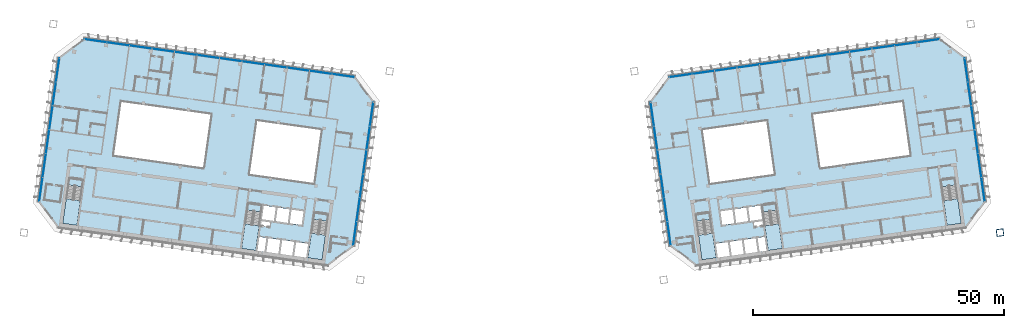
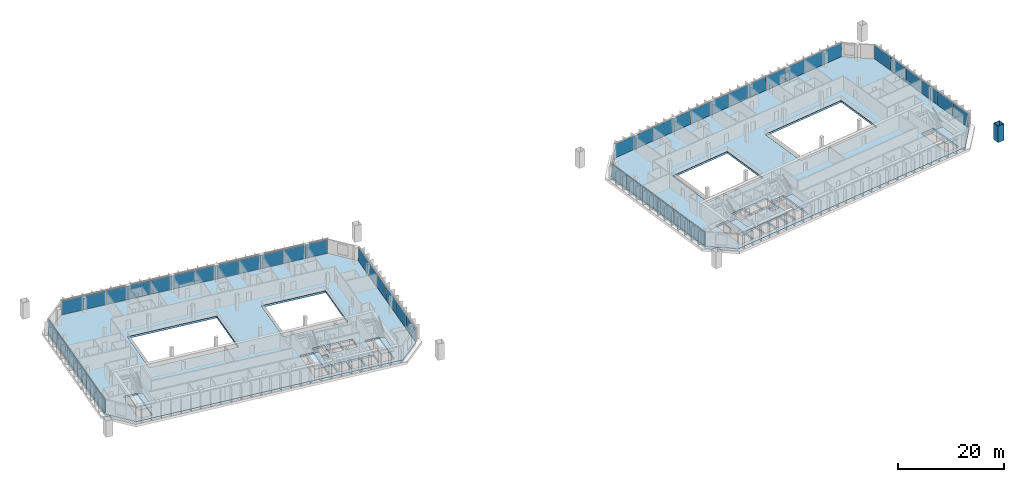
# One storey, part 14 of 25: 48 plates, 8 slabs, 1 member, 12 elements without a shape of their own.
"""IFC4 building model written with IfcOpenShell, lengths in metres."""

import ifcopenshell
import ifcopenshell.guid

model = None  # the IFC model being written
_history = None  # IfcOwnerHistory: only IFC2X3 demands one
_inside = {}  # id of a spatial element -> (the spatial element, [elements in it])
_under = {}  # id of a project, library or spatial element -> (it, [spatial elements below it])
_declared = {}  # id of a project -> (the project, [libraries it declares])
_typed = {}  # id of a type object -> (the type object, [elements of that type])
_made_of = {}  # id of a material, layer set ... -> (it, [elements and type objects made of it])


def new_model(schema):
    """Start an empty IFC model of exactly this schema.

    Asked for "IFC4X3", IfcOpenShell would pick the latest addendum, in which some entities
    have other attributes; the version numbers below select the first issue.
    IFC2X3 requires an IfcOwnerHistory on every rooted entity: one is made here for all.
    """
    global model, _history
    if schema == "IFC4X3":
        model = ifcopenshell.file(schema_version=(4, 3, 0, 0))
    else:
        model = ifcopenshell.file(schema=schema)
    _inside.clear()
    _under.clear()
    _declared.clear()
    _typed.clear()
    _made_of.clear()
    _history = None
    if model.schema == "IFC2X3":
        org = make("IfcOrganization", Name="unknown")
        user = make(
            "IfcPersonAndOrganization",
            ThePerson=make("IfcPerson", FamilyName="unknown"),
            TheOrganization=org,
        )
        app = make(
            "IfcApplication",
            ApplicationDeveloper=org,
            Version="unknown",
            ApplicationFullName="unknown",
            ApplicationIdentifier="unknown",
        )
        _history = make(
            "IfcOwnerHistory",
            OwningUser=user,
            OwningApplication=app,
            ChangeAction="ADDED",
            CreationDate=0,
        )
    return model


def make(cls, **values):
    """One entity of the class cls with the attributes given. An attribute that is None is left unset."""
    return model.create_entity(
        cls, **{name: value for name, value in values.items() if value is not None}
    )


def rooted(cls, **values):
    """An entity with a GlobalId (a new one), such as an element, a storey or a relation."""
    return make(cls, GlobalId=ifcopenshell.guid.new(), OwnerHistory=_history, **values)


def si_unit(unit_type, name, prefix=None):
    """IfcSIUnit, for example si_unit("LENGTHUNIT", "METRE", prefix="MILLI")."""
    return make("IfcSIUnit", UnitType=unit_type, Prefix=prefix, Name=name)


def assignment(units):
    """IfcUnitAssignment: the units of a project."""
    return None if units is None else make("IfcUnitAssignment", Units=units)


def point(xyz):
    """IfcCartesianPoint."""
    return None if xyz is None else make("IfcCartesianPoint", Coordinates=xyz)


def direction(xyz):
    """IfcDirection."""
    return None if xyz is None else make("IfcDirection", DirectionRatios=xyz)


def frame(location, z_axis=None, x_axis=None):
    """IfcAxis2Placement3D, a coordinate frame: its origin and axes. An axis left out is left unset."""
    return make(
        "IfcAxis2Placement3D",
        Location=point(location),
        Axis=direction(z_axis),
        RefDirection=direction(x_axis),
    )


def frame_2d(location, x_axis=None):
    """IfcAxis2Placement2D, a coordinate frame in the plane: its origin and x axis."""
    return make(
        "IfcAxis2Placement2D", Location=point(location), RefDirection=direction(x_axis)
    )


def origin():
    """The frame at (0, 0, 0) with its axes left unset."""
    return frame((0.0, 0.0, 0.0))


def origin_2d():
    """The frame at (0, 0) in the plane with its x axis left unset."""
    return frame_2d((0.0, 0.0))


def place(relative_to, where):
    """IfcLocalPlacement: puts the frame where relative to a parent placement (None: the world)."""
    return make(
        "IfcLocalPlacement", PlacementRelTo=relative_to, RelativePlacement=where
    )


def context(
    kind, dimensions, precision=None, world=None, true_north=None, identifier=None
):
    """IfcGeometricRepresentationContext, for example the 3D "Model" context."""
    return make(
        "IfcGeometricRepresentationContext",
        ContextIdentifier=identifier,
        ContextType=kind,
        CoordinateSpaceDimension=dimensions,
        Precision=precision,
        WorldCoordinateSystem=world,
        TrueNorth=true_north,
    )


def subcontext(parent, identifier, kind, view, scale=None):
    """IfcGeometricRepresentationSubContext, for example "Body" below "Model"."""
    return make(
        "IfcGeometricRepresentationSubContext",
        ContextIdentifier=identifier,
        ContextType=kind,
        ParentContext=parent,
        TargetScale=scale,
        TargetView=view,
    )


def project(units=None, contexts=None):
    """IfcProject with its units and contexts."""
    return rooted(
        "IfcProject",
        Name="project",
        RepresentationContexts=contexts,
        UnitsInContext=assignment(units),
    )


def spatial(cls, under=None, at=None, **own):
    """A site, building, storey or space (cls), placed at a placement, below another one or the project."""
    s = rooted(cls, ObjectPlacement=at, **own)
    if under is not None:
        _under.setdefault(under.id(), (under, []))[1].append(s)
    return s


def polyline(points):
    """IfcPolyline through the points."""
    return make("IfcPolyline", Points=[point(p) for p in points])


def profile(cls, at=None, kind="AREA", **sizes):
    """A parametric profile (cls). Its sizes go by their IFC names, for example OverallWidth=200.0."""
    return make(cls, ProfileType=kind, Position=at, **sizes)


def rectangle(**sizes):
    """IfcRectangleProfileDef."""
    return profile("IfcRectangleProfileDef", **sizes)


def hollow_rectangle(**sizes):
    """IfcRectangleHollowProfileDef."""
    return profile("IfcRectangleHollowProfileDef", **sizes)


def outline(outer, holes=None, kind="AREA"):
    """IfcArbitraryClosedProfileDef: a profile drawn as a closed curve; with holes, ...WithVoids."""
    if holes is None:
        return make("IfcArbitraryClosedProfileDef", ProfileType=kind, OuterCurve=outer)
    return make(
        "IfcArbitraryProfileDefWithVoids",
        ProfileType=kind,
        OuterCurve=outer,
        InnerCurves=holes,
    )


def extrude(swept, where, along, depth):
    """IfcExtrudedAreaSolid: the profile swept, set in the frame where, extruded along a direction by depth."""
    return make(
        "IfcExtrudedAreaSolid",
        SweptArea=swept,
        Position=where,
        ExtrudedDirection=direction(along),
        Depth=depth,
    )


def shape(context_of_items, identifier, shape_type, items):
    """IfcShapeRepresentation: the items that make up one representation, for example the "Body"."""
    return make(
        "IfcShapeRepresentation",
        ContextOfItems=context_of_items,
        RepresentationIdentifier=identifier,
        RepresentationType=shape_type,
        Items=items,
    )


def material(Name=None, Category=None):
    """IfcMaterial."""
    return make("IfcMaterial", Name=Name, Category=Category)


def layer(
    of_material, thickness, ventilated=None, Name=None, Category=None, Priority=None
):
    """IfcMaterialLayer: one layer of a wall or slab, of a material (None: an air gap)."""
    return make(
        "IfcMaterialLayer",
        Material=of_material,
        LayerThickness=thickness,
        IsVentilated=ventilated,
        Name=Name,
        Category=Category,
        Priority=Priority,
    )


def layer_set(layers, Name=None):
    """IfcMaterialLayerSet."""
    return make("IfcMaterialLayerSet", MaterialLayers=layers, LayerSetName=Name)


def material_profile(
    of_material, cross_section, Name=None, Category=None, Priority=None
):
    """IfcMaterialProfile: a cross section and its material."""
    return make(
        "IfcMaterialProfile",
        Name=Name,
        Material=of_material,
        Profile=cross_section,
        Priority=Priority,
        Category=Category,
    )


def profile_set(profiles, Name=None, composite=None):
    """IfcMaterialProfileSet."""
    return make(
        "IfcMaterialProfileSet",
        Name=Name,
        MaterialProfiles=profiles,
        CompositeProfile=composite,
    )


def made_of(thing, what):
    """Note that an element or type object is made of a material, layer set ...; save() writes the relation."""
    if what is not None:
        _made_of.setdefault(what.id(), (what, []))[1].append(thing)
    return thing


def type_object(cls, material=None, **own):
    """A type object (cls), such as IfcWallType, which elements share."""
    return made_of(rooted(cls, **own), material)


def element(
    cls,
    number,
    at=None,
    inside=None,
    cuts=None,
    type_object=None,
    material=None,
    context=None,
    identifier="Body",
    shape_type=None,
    held_by="IfcProductDefinitionShape",
    body=None,
    shapes=None,
    **own,
):
    """One element of the class cls, such as IfcWall. Its Tag is "e" and its number.

    at: its placement. inside: the storey or other place that contains it. cuts: it is an
    opening in that element (IfcRelVoidsElement). A single representation is given by context,
    identifier, shape_type and body (its items); several are given by shapes. held_by: the class
    of the entity that holds the representations. save() writes the other relations.
    """
    e = rooted(cls, Tag="e%d" % number, ObjectPlacement=at, **own)
    if body is not None:
        shapes = [shape(context, identifier, shape_type, body)]
    if shapes is not None:
        e.Representation = make(held_by, Representations=shapes)
    if inside is not None:
        _inside.setdefault(inside.id(), (inside, []))[1].append(e)
    if cuts is not None:
        rooted(
            "IfcRelVoidsElement", RelatingBuildingElement=cuts, RelatedOpeningElement=e
        )
    if type_object is not None:
        _typed.setdefault(type_object.id(), (type_object, []))[1].append(e)
    return made_of(e, material)


def aggregate(whole, parts):
    """IfcRelAggregates: a whole, such as a stair, and the parts it consists of."""
    return rooted("IfcRelAggregates", RelatingObject=whole, RelatedObjects=parts)


def save(model, path):
    """Write the relations noted so far, then the file.

    IfcRelAggregates (storeys below a building ...), IfcRelContainedInSpatialStructure (elements
    in a storey), IfcRelDefinesByType, IfcRelAssociatesMaterial and IfcRelDeclares: one each for
    every whole, place, type object, material and project.
    """
    for whole, parts in _under.values():
        aggregate(whole, parts)
    for where, things in _inside.values():
        rooted(
            "IfcRelContainedInSpatialStructure",
            RelatedElements=things,
            RelatingStructure=where,
        )
    for kind, things in _typed.values():
        rooted("IfcRelDefinesByType", RelatedObjects=things, RelatingType=kind)
    for what, things in _made_of.values():
        rooted("IfcRelAssociatesMaterial", RelatedObjects=things, RelatingMaterial=what)
    for by, libraries in _declared.values():
        rooted("IfcRelDeclares", RelatingContext=by, RelatedDefinitions=libraries)
    model.write(path)


model = new_model("IFC4")

# Units and contexts
model_context = context("Model", 3, precision=1e-05, world=origin(), true_north=direction((0.0, 1.0)))
body_context = subcontext(model_context, "Body", "Model", "MODEL_VIEW")
ifc_project = project(units=[si_unit("LENGTHUNIT", "METRE"), si_unit("AREAUNIT", "SQUARE_METRE"), si_unit("VOLUMEUNIT", "CUBIC_METRE"), si_unit("PLANEANGLEUNIT", "RADIAN"), si_unit("MASSUNIT", "GRAM", prefix="KILO")], contexts=[model_context])

# Site, building, storey
site_placement = place(None, origin())
site = spatial("IfcSite", under=ifc_project, at=site_placement, CompositionType="ELEMENT")
building_placement = place(site_placement, origin())
building = spatial("IfcBuilding", under=site, at=building_placement, Name="Mirante Cascada Hotel Towers", CompositionType="ELEMENT")
storey_placement = place(building_placement, frame((0.0, 0.0, 172.6)))
storey = spatial("IfcBuildingStorey", under=building, at=storey_placement, Name="L40", CompositionType="ELEMENT", Elevation=172.6)

# Member
ifc_material_1 = material(Name="Steel ASTM A572 Gr 50", Category="steel")
ifc_material_profile = material_profile(ifc_material_1, hollow_rectangle(XDim=1.4, YDim=1.4, WallThickness=0.06, at=origin_2d()), Name="Box post 1400x1400x60 ASTM A572 Gr 50")
ifc_profile_set = profile_set([ifc_material_profile], Name="Steel ASTM A572 Gr 50")
member_type = type_object("IfcMemberType", Name="Box post 1400x1400x60 ASTM A572 Gr 50", PredefinedType="POST", material=ifc_profile_set)
member_placement = place(storey_placement, frame((97.2901, -13.7494, 0.0), z_axis=(0.0, 0.0, 1.0), x_axis=(0.9902681, 0.1391731, 0.0)))
element("IfcMember", 1, at=member_placement, inside=storey, type_object=member_type, Name="Mega column MP4 T2 L40", PredefinedType="POST", context=body_context, shape_type="SweptSolid", body=[
    extrude(hollow_rectangle(XDim=1.4, YDim=1.4, WallThickness=0.06, at=origin_2d()), origin(), (0.0, 0.0, 1.0), 3.8),
])

# Curtain wall, plates
ifc_material_2 = material(Name="Aluminium mullion and transom frame with clear laminated glass", Category="aluminium")
curtain_wall_type_1 = type_object("IfcCurtainWallType", Name="Ribbon curtain wall ECW1", PredefinedType="NOTDEFINED", material=ifc_material_2)
curtain_wall_1_placement = place(storey_placement, origin())
curtain_wall_1 = element("IfcCurtainWall", 2, at=curtain_wall_1_placement, inside=storey, type_object=curtain_wall_type_1, Name="Front ribbon wall T1 L40", PredefinedType="NOTDEFINED")
ifc_material_3 = material(Name="Clear laminated glass", Category="glass")
ifc_layer_1 = layer(ifc_material_3, 0.036)
ifc_layer_set_1 = layer_set([ifc_layer_1], Name="ECW1 glass panel 36")
plate_type_1 = type_object("IfcPlateType", Name="ECW1 glass panel 36", PredefinedType="CURTAIN_PANEL", material=ifc_layer_set_1)
plate_1_placement = place(storey_placement, frame((-82.9858, 24.4819, 0.1), z_axis=(0.0, 0.0, 1.0), x_axis=(0.9902681, -0.1391731, 0.0)))
plate_1 = element("IfcPlate", 3, at=plate_1_placement, type_object=plate_type_1, Name="ECW1 panel 1", PredefinedType="CURTAIN_PANEL", context=body_context, shape_type="SweptSolid", body=[
    extrude(rectangle(XDim=4.4344, YDim=0.036, at=origin_2d()), origin(), (0.0, 0.0, 1.0), 3.15),
])
plate_2_placement = place(storey_placement, frame((-78.5141, 23.8535, 0.1), z_axis=(0.0, 0.0, 1.0), x_axis=(0.9902681, -0.1391731, 0.0)))
plate_2 = element("IfcPlate", 4, at=plate_2_placement, type_object=plate_type_1, Name="ECW1 panel 2", PredefinedType="CURTAIN_PANEL", context=body_context, shape_type="SweptSolid", body=[
    extrude(rectangle(XDim=4.4669, YDim=0.036, at=origin_2d()), origin(), (0.0, 0.0, 1.0), 3.15),
])
plate_3_placement = place(storey_placement, frame((-74.0263, 23.2227, 0.1), z_axis=(0.0, 0.0, 1.0), x_axis=(0.9902681, -0.1391731, 0.0)))
plate_3 = element("IfcPlate", 5, at=plate_3_placement, type_object=plate_type_1, Name="ECW1 panel 3", PredefinedType="CURTAIN_PANEL", context=body_context, shape_type="SweptSolid", body=[
    extrude(rectangle(XDim=4.4669, YDim=0.036, at=origin_2d()), origin(), (0.0, 0.0, 1.0), 3.15),
])
plate_4_placement = place(storey_placement, frame((-69.5385, 22.592, 0.1), z_axis=(0.0, 0.0, 1.0), x_axis=(0.9902681, -0.1391731, 0.0)))
plate_4 = element("IfcPlate", 6, at=plate_4_placement, type_object=plate_type_1, Name="ECW1 panel 4", PredefinedType="CURTAIN_PANEL", context=body_context, shape_type="SweptSolid", body=[
    extrude(rectangle(XDim=4.4669, YDim=0.036, at=origin_2d()), origin(), (0.0, 0.0, 1.0), 3.15),
])
plate_5_placement = place(storey_placement, frame((-65.0508, 21.9613, 0.1), z_axis=(0.0, 0.0, 1.0), x_axis=(0.9902681, -0.1391731, 0.0)))
plate_5 = element("IfcPlate", 7, at=plate_5_placement, type_object=plate_type_1, Name="ECW1 panel 5", PredefinedType="CURTAIN_PANEL", context=body_context, shape_type="SweptSolid", body=[
    extrude(rectangle(XDim=4.4669, YDim=0.036, at=origin_2d()), origin(), (0.0, 0.0, 1.0), 3.15),
])
plate_6_placement = place(storey_placement, frame((-60.563, 21.3306, 0.1), z_axis=(0.0, 0.0, 1.0), x_axis=(0.9902681, -0.1391731, 0.0)))
plate_6 = element("IfcPlate", 8, at=plate_6_placement, type_object=plate_type_1, Name="ECW1 panel 6", PredefinedType="CURTAIN_PANEL", context=body_context, shape_type="SweptSolid", body=[
    extrude(rectangle(XDim=4.4669, YDim=0.036, at=origin_2d()), origin(), (0.0, 0.0, 1.0), 3.15),
])
plate_7_placement = place(storey_placement, frame((-56.0752, 20.6999, 0.1), z_axis=(0.0, 0.0, 1.0), x_axis=(0.9902681, -0.1391731, 0.0)))
plate_7 = element("IfcPlate", 9, at=plate_7_placement, type_object=plate_type_1, Name="ECW1 panel 7", PredefinedType="CURTAIN_PANEL", context=body_context, shape_type="SweptSolid", body=[
    extrude(rectangle(XDim=4.4669, YDim=0.036, at=origin_2d()), origin(), (0.0, 0.0, 1.0), 3.15),
])
plate_8_placement = place(storey_placement, frame((-51.5875, 20.0692, 0.1), z_axis=(0.0, 0.0, 1.0), x_axis=(0.9902681, -0.1391731, 0.0)))
plate_8 = element("IfcPlate", 10, at=plate_8_placement, type_object=plate_type_1, Name="ECW1 panel 8", PredefinedType="CURTAIN_PANEL", context=body_context, shape_type="SweptSolid", body=[
    extrude(rectangle(XDim=4.4669, YDim=0.036, at=origin_2d()), origin(), (0.0, 0.0, 1.0), 3.15),
])
plate_9_placement = place(storey_placement, frame((-47.0997, 19.4385, 0.1), z_axis=(0.0, 0.0, 1.0), x_axis=(0.9902681, -0.1391731, 0.0)))
plate_9 = element("IfcPlate", 11, at=plate_9_placement, type_object=plate_type_1, Name="ECW1 panel 9", PredefinedType="CURTAIN_PANEL", context=body_context, shape_type="SweptSolid", body=[
    extrude(rectangle(XDim=4.4669, YDim=0.036, at=origin_2d()), origin(), (0.0, 0.0, 1.0), 3.15),
])
plate_10_placement = place(storey_placement, frame((-42.6119, 18.8077, 0.1), z_axis=(0.0, 0.0, 1.0), x_axis=(0.9902681, -0.1391731, 0.0)))
plate_10 = element("IfcPlate", 12, at=plate_10_placement, type_object=plate_type_1, Name="ECW1 panel 10", PredefinedType="CURTAIN_PANEL", context=body_context, shape_type="SweptSolid", body=[
    extrude(rectangle(XDim=4.4669, YDim=0.036, at=origin_2d()), origin(), (0.0, 0.0, 1.0), 3.15),
])
plate_11_placement = place(storey_placement, frame((-38.1241, 18.177, 0.1), z_axis=(0.0, 0.0, 1.0), x_axis=(0.9902681, -0.1391731, 0.0)))
plate_11 = element("IfcPlate", 13, at=plate_11_placement, type_object=plate_type_1, Name="ECW1 panel 11", PredefinedType="CURTAIN_PANEL", context=body_context, shape_type="SweptSolid", body=[
    extrude(rectangle(XDim=4.4669, YDim=0.036, at=origin_2d()), origin(), (0.0, 0.0, 1.0), 3.15),
])
plate_12_placement = place(storey_placement, frame((-33.6525, 17.5486, 0.1), z_axis=(0.0, 0.0, 1.0), x_axis=(0.9902681, -0.1391731, 0.0)))
plate_12 = element("IfcPlate", 14, at=plate_12_placement, type_object=plate_type_1, Name="ECW1 panel 12", PredefinedType="CURTAIN_PANEL", context=body_context, shape_type="SweptSolid", body=[
    extrude(rectangle(XDim=4.4344, YDim=0.036, at=origin_2d()), origin(), (0.0, 0.0, 1.0), 3.15),
])
aggregate(curtain_wall_1, [plate_1, plate_2, plate_3, plate_4, plate_5, plate_6, plate_7, plate_8, plate_9, plate_10, plate_11, plate_12])

curtain_wall_2_placement = place(storey_placement, origin())
curtain_wall_2 = element("IfcCurtainWall", 15, at=curtain_wall_2_placement, inside=storey, type_object=curtain_wall_type_1, Name="Front ribbon wall T2 L40", PredefinedType="NOTDEFINED")
plate_13_placement = place(storey_placement, frame((82.9858, 24.4819, 0.1), z_axis=(0.0, 0.0, 1.0), x_axis=(-0.9902681, -0.1391731, 0.0)))
plate_13 = element("IfcPlate", 16, at=plate_13_placement, type_object=plate_type_1, Name="ECW1 panel 1", PredefinedType="CURTAIN_PANEL", context=body_context, shape_type="SweptSolid", body=[
    extrude(rectangle(XDim=4.4344, YDim=0.036, at=origin_2d()), origin(), (0.0, 0.0, 1.0), 3.15),
])
plate_14_placement = place(storey_placement, frame((78.5141, 23.8535, 0.1), z_axis=(0.0, 0.0, 1.0), x_axis=(-0.9902681, -0.1391731, 0.0)))
plate_14 = element("IfcPlate", 17, at=plate_14_placement, type_object=plate_type_1, Name="ECW1 panel 2", PredefinedType="CURTAIN_PANEL", context=body_context, shape_type="SweptSolid", body=[
    extrude(rectangle(XDim=4.4669, YDim=0.036, at=origin_2d()), origin(), (0.0, 0.0, 1.0), 3.15),
])
plate_15_placement = place(storey_placement, frame((74.0263, 23.2227, 0.1), z_axis=(0.0, 0.0, 1.0), x_axis=(-0.9902681, -0.1391731, 0.0)))
plate_15 = element("IfcPlate", 18, at=plate_15_placement, type_object=plate_type_1, Name="ECW1 panel 3", PredefinedType="CURTAIN_PANEL", context=body_context, shape_type="SweptSolid", body=[
    extrude(rectangle(XDim=4.4669, YDim=0.036, at=origin_2d()), origin(), (0.0, 0.0, 1.0), 3.15),
])
plate_16_placement = place(storey_placement, frame((69.5385, 22.592, 0.1), z_axis=(0.0, 0.0, 1.0), x_axis=(-0.9902681, -0.1391731, 0.0)))
plate_16 = element("IfcPlate", 19, at=plate_16_placement, type_object=plate_type_1, Name="ECW1 panel 4", PredefinedType="CURTAIN_PANEL", context=body_context, shape_type="SweptSolid", body=[
    extrude(rectangle(XDim=4.4669, YDim=0.036, at=origin_2d()), origin(), (0.0, 0.0, 1.0), 3.15),
])
plate_17_placement = place(storey_placement, frame((65.0508, 21.9613, 0.1), z_axis=(0.0, 0.0, 1.0), x_axis=(-0.9902681, -0.1391731, 0.0)))
plate_17 = element("IfcPlate", 20, at=plate_17_placement, type_object=plate_type_1, Name="ECW1 panel 5", PredefinedType="CURTAIN_PANEL", context=body_context, shape_type="SweptSolid", body=[
    extrude(rectangle(XDim=4.4669, YDim=0.036, at=origin_2d()), origin(), (0.0, 0.0, 1.0), 3.15),
])
plate_18_placement = place(storey_placement, frame((60.563, 21.3306, 0.1), z_axis=(0.0, 0.0, 1.0), x_axis=(-0.9902681, -0.1391731, 0.0)))
plate_18 = element("IfcPlate", 21, at=plate_18_placement, type_object=plate_type_1, Name="ECW1 panel 6", PredefinedType="CURTAIN_PANEL", context=body_context, shape_type="SweptSolid", body=[
    extrude(rectangle(XDim=4.4669, YDim=0.036, at=origin_2d()), origin(), (0.0, 0.0, 1.0), 3.15),
])
plate_19_placement = place(storey_placement, frame((56.0752, 20.6999, 0.1), z_axis=(0.0, 0.0, 1.0), x_axis=(-0.9902681, -0.1391731, 0.0)))
plate_19 = element("IfcPlate", 22, at=plate_19_placement, type_object=plate_type_1, Name="ECW1 panel 7", PredefinedType="CURTAIN_PANEL", context=body_context, shape_type="SweptSolid", body=[
    extrude(rectangle(XDim=4.4669, YDim=0.036, at=origin_2d()), origin(), (0.0, 0.0, 1.0), 3.15),
])
plate_20_placement = place(storey_placement, frame((51.5875, 20.0692, 0.1), z_axis=(0.0, 0.0, 1.0), x_axis=(-0.9902681, -0.1391731, 0.0)))
plate_20 = element("IfcPlate", 23, at=plate_20_placement, type_object=plate_type_1, Name="ECW1 panel 8", PredefinedType="CURTAIN_PANEL", context=body_context, shape_type="SweptSolid", body=[
    extrude(rectangle(XDim=4.4669, YDim=0.036, at=origin_2d()), origin(), (0.0, 0.0, 1.0), 3.15),
])
plate_21_placement = place(storey_placement, frame((47.0997, 19.4385, 0.1), z_axis=(0.0, 0.0, 1.0), x_axis=(-0.9902681, -0.1391731, 0.0)))
plate_21 = element("IfcPlate", 24, at=plate_21_placement, type_object=plate_type_1, Name="ECW1 panel 9", PredefinedType="CURTAIN_PANEL", context=body_context, shape_type="SweptSolid", body=[
    extrude(rectangle(XDim=4.4669, YDim=0.036, at=origin_2d()), origin(), (0.0, 0.0, 1.0), 3.15),
])
plate_22_placement = place(storey_placement, frame((42.6119, 18.8077, 0.1), z_axis=(0.0, 0.0, 1.0), x_axis=(-0.9902681, -0.1391731, 0.0)))
plate_22 = element("IfcPlate", 25, at=plate_22_placement, type_object=plate_type_1, Name="ECW1 panel 10", PredefinedType="CURTAIN_PANEL", context=body_context, shape_type="SweptSolid", body=[
    extrude(rectangle(XDim=4.4669, YDim=0.036, at=origin_2d()), origin(), (0.0, 0.0, 1.0), 3.15),
])
plate_23_placement = place(storey_placement, frame((38.1241, 18.177, 0.1), z_axis=(0.0, 0.0, 1.0), x_axis=(-0.9902681, -0.1391731, 0.0)))
plate_23 = element("IfcPlate", 26, at=plate_23_placement, type_object=plate_type_1, Name="ECW1 panel 11", PredefinedType="CURTAIN_PANEL", context=body_context, shape_type="SweptSolid", body=[
    extrude(rectangle(XDim=4.4669, YDim=0.036, at=origin_2d()), origin(), (0.0, 0.0, 1.0), 3.15),
])
plate_24_placement = place(storey_placement, frame((33.6525, 17.5486, 0.1), z_axis=(0.0, 0.0, 1.0), x_axis=(-0.9902681, -0.1391731, 0.0)))
plate_24 = element("IfcPlate", 27, at=plate_24_placement, type_object=plate_type_1, Name="ECW1 panel 12", PredefinedType="CURTAIN_PANEL", context=body_context, shape_type="SweptSolid", body=[
    extrude(rectangle(XDim=4.4344, YDim=0.036, at=origin_2d()), origin(), (0.0, 0.0, 1.0), 3.15),
])
aggregate(curtain_wall_2, [plate_13, plate_14, plate_15, plate_16, plate_17, plate_18, plate_19, plate_20, plate_21, plate_22, plate_23, plate_24])

ifc_material_4 = material(Name="Aluminium mullion and transom frame with clear laminated glass", Category="aluminium")
curtain_wall_type_2 = type_object("IfcCurtainWallType", Name="End ribbon curtain wall ECW2", PredefinedType="NOTDEFINED", material=ifc_material_4)
curtain_wall_3_placement = place(storey_placement, origin())
curtain_wall_3 = element("IfcCurtainWall", 28, at=curtain_wall_3_placement, inside=storey, type_object=curtain_wall_type_2, Name="Inner end wall T1 L40", PredefinedType="NOTDEFINED")
ifc_material_5 = material(Name="Clear laminated glass", Category="glass")
ifc_layer_2 = layer(ifc_material_5, 0.034)
ifc_layer_set_2 = layer_set([ifc_layer_2], Name="ECW2 glass panel 34")
plate_type_2 = type_object("IfcPlateType", Name="ECW2 glass panel 34", PredefinedType="CURTAIN_PANEL", material=ifc_layer_set_2)
plate_25_placement = place(storey_placement, frame((-27.9745, 9.8487, 0.1), z_axis=(0.0, 0.0, 1.0), x_axis=(-0.1391731, -0.9902681, 0.0)))
plate_25 = element("IfcPlate", 29, at=plate_25_placement, type_object=plate_type_2, Name="ECW2 panel 1", PredefinedType="CURTAIN_PANEL", context=body_context, shape_type="SweptSolid", body=[
    extrude(rectangle(XDim=4.7151, YDim=0.034, at=origin_2d()), origin(), (0.0, 0.0, 1.0), 3.15),
])
plate_26_placement = place(storey_placement, frame((-28.642, 5.099, 0.1), z_axis=(0.0, 0.0, 1.0), x_axis=(-0.1391731, -0.9902681, 0.0)))
plate_26 = element("IfcPlate", 30, at=plate_26_placement, type_object=plate_type_2, Name="ECW2 panel 2", PredefinedType="CURTAIN_PANEL", context=body_context, shape_type="SweptSolid", body=[
    extrude(rectangle(XDim=4.7476, YDim=0.034, at=origin_2d()), origin(), (0.0, 0.0, 1.0), 3.15),
])
plate_27_placement = place(storey_placement, frame((-29.3118, 0.3332, 0.1), z_axis=(0.0, 0.0, 1.0), x_axis=(-0.1391731, -0.9902681, 0.0)))
plate_27 = element("IfcPlate", 31, at=plate_27_placement, type_object=plate_type_2, Name="ECW2 panel 3", PredefinedType="CURTAIN_PANEL", context=body_context, shape_type="SweptSolid", body=[
    extrude(rectangle(XDim=4.7476, YDim=0.034, at=origin_2d()), origin(), (0.0, 0.0, 1.0), 3.15),
])
plate_28_placement = place(storey_placement, frame((-29.9816, -4.4325, 0.1), z_axis=(0.0, 0.0, 1.0), x_axis=(-0.1391731, -0.9902681, 0.0)))
plate_28 = element("IfcPlate", 32, at=plate_28_placement, type_object=plate_type_2, Name="ECW2 panel 4", PredefinedType="CURTAIN_PANEL", context=body_context, shape_type="SweptSolid", body=[
    extrude(rectangle(XDim=4.7476, YDim=0.034, at=origin_2d()), origin(), (0.0, 0.0, 1.0), 3.15),
])
plate_29_placement = place(storey_placement, frame((-30.6514, -9.1983, 0.1), z_axis=(0.0, 0.0, 1.0), x_axis=(-0.1391731, -0.9902681, 0.0)))
plate_29 = element("IfcPlate", 33, at=plate_29_placement, type_object=plate_type_2, Name="ECW2 panel 5", PredefinedType="CURTAIN_PANEL", context=body_context, shape_type="SweptSolid", body=[
    extrude(rectangle(XDim=4.7476, YDim=0.034, at=origin_2d()), origin(), (0.0, 0.0, 1.0), 3.15),
])
plate_30_placement = place(storey_placement, frame((-31.3189, -13.948, 0.1), z_axis=(0.0, 0.0, 1.0), x_axis=(-0.1391731, -0.9902681, 0.0)))
plate_30 = element("IfcPlate", 34, at=plate_30_placement, type_object=plate_type_2, Name="ECW2 panel 6", PredefinedType="CURTAIN_PANEL", context=body_context, shape_type="SweptSolid", body=[
    extrude(rectangle(XDim=4.7151, YDim=0.034, at=origin_2d()), origin(), (0.0, 0.0, 1.0), 3.15),
])
aggregate(curtain_wall_3, [plate_25, plate_26, plate_27, plate_28, plate_29, plate_30])

curtain_wall_4_placement = place(storey_placement, origin())
curtain_wall_4 = element("IfcCurtainWall", 35, at=curtain_wall_4_placement, inside=storey, type_object=curtain_wall_type_2, Name="Outer end wall T1 L40", PredefinedType="NOTDEFINED")
plate_31_placement = place(storey_placement, frame((-93.9106, -5.1513, 0.1), z_axis=(0.0, 0.0, 1.0), x_axis=(0.1391731, 0.9902681, 0.0)))
plate_31 = element("IfcPlate", 36, at=plate_31_placement, type_object=plate_type_2, Name="ECW2 panel 1", PredefinedType="CURTAIN_PANEL", context=body_context, shape_type="SweptSolid", body=[
    extrude(rectangle(XDim=4.7151, YDim=0.034, at=origin_2d()), origin(), (0.0, 0.0, 1.0), 3.15),
])
plate_32_placement = place(storey_placement, frame((-90.5661, 18.6454, 0.1), z_axis=(0.0, 0.0, 1.0), x_axis=(0.1391731, 0.9902681, 0.0)))
plate_32 = element("IfcPlate", 37, at=plate_32_placement, type_object=plate_type_2, Name="ECW2 panel 6", PredefinedType="CURTAIN_PANEL", context=body_context, shape_type="SweptSolid", body=[
    extrude(rectangle(XDim=4.7151, YDim=0.034, at=origin_2d()), origin(), (0.0, 0.0, 1.0), 3.15),
])

curtain_wall_5_placement = place(storey_placement, origin())
curtain_wall_5 = element("IfcCurtainWall", 38, at=curtain_wall_5_placement, inside=storey, type_object=curtain_wall_type_2, Name="Inner end wall T2 L40", PredefinedType="NOTDEFINED")
plate_33_placement = place(storey_placement, frame((27.9745, 9.8487, 0.1), z_axis=(0.0, 0.0, 1.0), x_axis=(0.1391731, -0.9902681, 0.0)))
plate_33 = element("IfcPlate", 39, at=plate_33_placement, type_object=plate_type_2, Name="ECW2 panel 1", PredefinedType="CURTAIN_PANEL", context=body_context, shape_type="SweptSolid", body=[
    extrude(rectangle(XDim=4.7151, YDim=0.034, at=origin_2d()), origin(), (0.0, 0.0, 1.0), 3.15),
])
plate_34_placement = place(storey_placement, frame((28.642, 5.099, 0.1), z_axis=(0.0, 0.0, 1.0), x_axis=(0.1391731, -0.9902681, 0.0)))
plate_34 = element("IfcPlate", 40, at=plate_34_placement, type_object=plate_type_2, Name="ECW2 panel 2", PredefinedType="CURTAIN_PANEL", context=body_context, shape_type="SweptSolid", body=[
    extrude(rectangle(XDim=4.7476, YDim=0.034, at=origin_2d()), origin(), (0.0, 0.0, 1.0), 3.15),
])
plate_35_placement = place(storey_placement, frame((29.3118, 0.3332, 0.1), z_axis=(0.0, 0.0, 1.0), x_axis=(0.1391731, -0.9902681, 0.0)))
plate_35 = element("IfcPlate", 41, at=plate_35_placement, type_object=plate_type_2, Name="ECW2 panel 3", PredefinedType="CURTAIN_PANEL", context=body_context, shape_type="SweptSolid", body=[
    extrude(rectangle(XDim=4.7476, YDim=0.034, at=origin_2d()), origin(), (0.0, 0.0, 1.0), 3.15),
])
plate_36_placement = place(storey_placement, frame((29.9816, -4.4325, 0.1), z_axis=(0.0, 0.0, 1.0), x_axis=(0.1391731, -0.9902681, 0.0)))
plate_36 = element("IfcPlate", 42, at=plate_36_placement, type_object=plate_type_2, Name="ECW2 panel 4", PredefinedType="CURTAIN_PANEL", context=body_context, shape_type="SweptSolid", body=[
    extrude(rectangle(XDim=4.7476, YDim=0.034, at=origin_2d()), origin(), (0.0, 0.0, 1.0), 3.15),
])
plate_37_placement = place(storey_placement, frame((30.6514, -9.1983, 0.1), z_axis=(0.0, 0.0, 1.0), x_axis=(0.1391731, -0.9902681, 0.0)))
plate_37 = element("IfcPlate", 43, at=plate_37_placement, type_object=plate_type_2, Name="ECW2 panel 5", PredefinedType="CURTAIN_PANEL", context=body_context, shape_type="SweptSolid", body=[
    extrude(rectangle(XDim=4.7476, YDim=0.034, at=origin_2d()), origin(), (0.0, 0.0, 1.0), 3.15),
])
plate_38_placement = place(storey_placement, frame((31.3189, -13.948, 0.1), z_axis=(0.0, 0.0, 1.0), x_axis=(0.1391731, -0.9902681, 0.0)))
plate_38 = element("IfcPlate", 44, at=plate_38_placement, type_object=plate_type_2, Name="ECW2 panel 6", PredefinedType="CURTAIN_PANEL", context=body_context, shape_type="SweptSolid", body=[
    extrude(rectangle(XDim=4.7151, YDim=0.034, at=origin_2d()), origin(), (0.0, 0.0, 1.0), 3.15),
])
aggregate(curtain_wall_5, [plate_33, plate_34, plate_35, plate_36, plate_37, plate_38])

curtain_wall_6_placement = place(storey_placement, origin())
curtain_wall_6 = element("IfcCurtainWall", 45, at=curtain_wall_6_placement, inside=storey, type_object=curtain_wall_type_2, Name="Outer end wall T2 L40", PredefinedType="NOTDEFINED")
plate_39_placement = place(storey_placement, frame((93.9106, -5.1513, 0.1), z_axis=(0.0, 0.0, 1.0), x_axis=(-0.1391731, 0.9902681, 0.0)))
plate_39 = element("IfcPlate", 46, at=plate_39_placement, type_object=plate_type_2, Name="ECW2 panel 1", PredefinedType="CURTAIN_PANEL", context=body_context, shape_type="SweptSolid", body=[
    extrude(rectangle(XDim=4.7151, YDim=0.034, at=origin_2d()), origin(), (0.0, 0.0, 1.0), 3.15),
])
plate_40_placement = place(storey_placement, frame((90.5661, 18.6454, 0.1), z_axis=(0.0, 0.0, 1.0), x_axis=(-0.1391731, 0.9902681, 0.0)))
plate_40 = element("IfcPlate", 47, at=plate_40_placement, type_object=plate_type_2, Name="ECW2 panel 6", PredefinedType="CURTAIN_PANEL", context=body_context, shape_type="SweptSolid", body=[
    extrude(rectangle(XDim=4.7151, YDim=0.034, at=origin_2d()), origin(), (0.0, 0.0, 1.0), 3.15),
])

# Plate
ifc_material_6 = material(Name="Insulated aluminium spandrel panel", Category="aluminium")
ifc_layer_3 = layer(ifc_material_6, 0.034)
ifc_layer_set_3 = layer_set([ifc_layer_3], Name="ECW2 spandrel panel 34")
plate_type_3 = type_object("IfcPlateType", Name="ECW2 spandrel panel 34", PredefinedType="CURTAIN_PANEL", material=ifc_layer_set_3)
plate_41_placement = place(storey_placement, frame((-93.243, -0.4017, 0.1), z_axis=(0.0, 0.0, 1.0), x_axis=(0.1391731, 0.9902681, 0.0)))
plate_41 = element("IfcPlate", 48, at=plate_41_placement, type_object=plate_type_3, Name="ECW2 panel 2", PredefinedType="CURTAIN_PANEL", context=body_context, shape_type="SweptSolid", body=[
    extrude(rectangle(XDim=4.7476, YDim=0.034, at=origin_2d()), origin(), (0.0, 0.0, 1.0), 3.15),
])

plate_42_placement = place(storey_placement, frame((-92.5732, 4.3641, 0.1), z_axis=(0.0, 0.0, 1.0), x_axis=(0.1391731, 0.9902681, 0.0)))
plate_42 = element("IfcPlate", 49, at=plate_42_placement, type_object=plate_type_3, Name="ECW2 panel 3", PredefinedType="CURTAIN_PANEL", context=body_context, shape_type="SweptSolid", body=[
    extrude(rectangle(XDim=4.7476, YDim=0.034, at=origin_2d()), origin(), (0.0, 0.0, 1.0), 3.15),
])

plate_43_placement = place(storey_placement, frame((-91.9035, 9.1299, 0.1), z_axis=(0.0, 0.0, 1.0), x_axis=(0.1391731, 0.9902681, 0.0)))
plate_43 = element("IfcPlate", 50, at=plate_43_placement, type_object=plate_type_3, Name="ECW2 panel 4", PredefinedType="CURTAIN_PANEL", context=body_context, shape_type="SweptSolid", body=[
    extrude(rectangle(XDim=4.7476, YDim=0.034, at=origin_2d()), origin(), (0.0, 0.0, 1.0), 3.15),
])

plate_44_placement = place(storey_placement, frame((-91.2337, 13.8957, 0.1), z_axis=(0.0, 0.0, 1.0), x_axis=(0.1391731, 0.9902681, 0.0)))
plate_44 = element("IfcPlate", 51, at=plate_44_placement, type_object=plate_type_3, Name="ECW2 panel 5", PredefinedType="CURTAIN_PANEL", context=body_context, shape_type="SweptSolid", body=[
    extrude(rectangle(XDim=4.7476, YDim=0.034, at=origin_2d()), origin(), (0.0, 0.0, 1.0), 3.15),
])

aggregate(curtain_wall_4, [plate_31, plate_41, plate_42, plate_43, plate_44, plate_32])

plate_45_placement = place(storey_placement, frame((93.243, -0.4017, 0.1), z_axis=(0.0, 0.0, 1.0), x_axis=(-0.1391731, 0.9902681, 0.0)))
plate_45 = element("IfcPlate", 52, at=plate_45_placement, type_object=plate_type_3, Name="ECW2 panel 2", PredefinedType="CURTAIN_PANEL", context=body_context, shape_type="SweptSolid", body=[
    extrude(rectangle(XDim=4.7476, YDim=0.034, at=origin_2d()), origin(), (0.0, 0.0, 1.0), 3.15),
])

plate_46_placement = place(storey_placement, frame((92.5732, 4.3641, 0.1), z_axis=(0.0, 0.0, 1.0), x_axis=(-0.1391731, 0.9902681, 0.0)))
plate_46 = element("IfcPlate", 53, at=plate_46_placement, type_object=plate_type_3, Name="ECW2 panel 3", PredefinedType="CURTAIN_PANEL", context=body_context, shape_type="SweptSolid", body=[
    extrude(rectangle(XDim=4.7476, YDim=0.034, at=origin_2d()), origin(), (0.0, 0.0, 1.0), 3.15),
])

plate_47_placement = place(storey_placement, frame((91.9035, 9.1299, 0.1), z_axis=(0.0, 0.0, 1.0), x_axis=(-0.1391731, 0.9902681, 0.0)))
plate_47 = element("IfcPlate", 54, at=plate_47_placement, type_object=plate_type_3, Name="ECW2 panel 4", PredefinedType="CURTAIN_PANEL", context=body_context, shape_type="SweptSolid", body=[
    extrude(rectangle(XDim=4.7476, YDim=0.034, at=origin_2d()), origin(), (0.0, 0.0, 1.0), 3.15),
])

plate_48_placement = place(storey_placement, frame((91.2337, 13.8957, 0.1), z_axis=(0.0, 0.0, 1.0), x_axis=(-0.1391731, 0.9902681, 0.0)))
plate_48 = element("IfcPlate", 55, at=plate_48_placement, type_object=plate_type_3, Name="ECW2 panel 5", PredefinedType="CURTAIN_PANEL", context=body_context, shape_type="SweptSolid", body=[
    extrude(rectangle(XDim=4.7476, YDim=0.034, at=origin_2d()), origin(), (0.0, 0.0, 1.0), 3.15),
])

aggregate(curtain_wall_6, [plate_39, plate_45, plate_46, plate_47, plate_48, plate_40])

# Stair, slab
ifc_material_7 = material(Name="Concrete C35/45", Category="concrete")
stair_type = type_object("IfcStairType", Name="Exit stair half-turn 1350 concrete C35/45", PredefinedType="HALF_TURN_STAIR", material=ifc_material_7)
stair_1_placement = place(storey_placement, origin())
stair_1 = element("IfcStair", 56, at=stair_1_placement, inside=storey, type_object=stair_type, Name="L40 Exit stair A", PredefinedType="HALF_TURN_STAIR")
ifc_material_8 = material(Name="Concrete C35/45", Category="concrete")
ifc_layer_4 = layer(ifc_material_8, 0.2)
ifc_layer_set_4 = layer_set([ifc_layer_4], Name="Exit stair landing 200 concrete C35/45")
slab_type_1 = type_object("IfcSlabType", Name="Exit stair landing 200 concrete C35/45", PredefinedType="LANDING", material=ifc_layer_set_4)
slab_1_placement = place(storey_placement, frame((0.0, 0.0, 1.7)))
slab_1 = element("IfcSlab", 57, at=slab_1_placement, type_object=slab_type_1, Name="ST1-A landing 1", PredefinedType="LANDING", context=body_context, shape_type="SweptSolid", body=[
    extrude(outline(polyline([(-39.9987, -13.8659), (-40.6887, -18.7757), (-37.8665, -19.1723), (-37.1765, -14.2626), (-39.9987, -13.8659)])), origin(), (0.0, 0.0, 1.0), 0.2),
])
aggregate(stair_1, [slab_1])

stair_2_placement = place(storey_placement, origin())
stair_2 = element("IfcStair", 58, at=stair_2_placement, inside=storey, type_object=stair_type, Name="L40 Exit stair B", PredefinedType="HALF_TURN_STAIR")
slab_2_placement = place(storey_placement, frame((0.0, 0.0, 1.7)))
slab_2 = element("IfcSlab", 59, at=slab_2_placement, type_object=slab_type_1, Name="ST1-B landing 1", PredefinedType="LANDING", context=body_context, shape_type="SweptSolid", body=[
    extrude(outline(polyline([(-53.2188, -12.008), (-53.9088, -16.9177), (-51.0866, -17.3144), (-50.3965, -12.4046), (-53.2188, -12.008)])), origin(), (0.0, 0.0, 1.0), 0.2),
])
aggregate(stair_2, [slab_2])

stair_3_placement = place(storey_placement, origin())
stair_3 = element("IfcStair", 60, at=stair_3_placement, inside=storey, type_object=stair_type, Name="L40 Exit stair C", PredefinedType="HALF_TURN_STAIR")
slab_3_placement = place(storey_placement, frame((0.0, 0.0, 1.7)))
slab_3 = element("IfcSlab", 61, at=slab_3_placement, type_object=slab_type_1, Name="ST1-C landing 1", PredefinedType="LANDING", context=body_context, shape_type="SweptSolid", body=[
    extrude(outline(polyline([(-88.8685, -6.9977), (-89.5585, -11.9075), (-86.7362, -12.3041), (-86.0462, -7.3944), (-88.8685, -6.9977)])), origin(), (0.0, 0.0, 1.0), 0.2),
])
aggregate(stair_3, [slab_3])

stair_4_placement = place(storey_placement, origin())
stair_4 = element("IfcStair", 62, at=stair_4_placement, inside=storey, type_object=stair_type, Name="L40 Exit stair A", PredefinedType="HALF_TURN_STAIR")
slab_4_placement = place(storey_placement, frame((0.0, 0.0, 1.7)))
slab_4 = element("IfcSlab", 63, at=slab_4_placement, type_object=slab_type_1, Name="ST2-A landing 1", PredefinedType="LANDING", context=body_context, shape_type="SweptSolid", body=[
    extrude(outline(polyline([(37.1765, -14.2626), (37.8665, -19.1723), (40.6887, -18.7757), (39.9987, -13.8659), (37.1765, -14.2626)])), origin(), (0.0, 0.0, 1.0), 0.2),
])
aggregate(stair_4, [slab_4])

stair_5_placement = place(storey_placement, origin())
stair_5 = element("IfcStair", 64, at=stair_5_placement, inside=storey, type_object=stair_type, Name="L40 Exit stair B", PredefinedType="HALF_TURN_STAIR")
slab_5_placement = place(storey_placement, frame((0.0, 0.0, 1.7)))
slab_5 = element("IfcSlab", 65, at=slab_5_placement, type_object=slab_type_1, Name="ST2-B landing 1", PredefinedType="LANDING", context=body_context, shape_type="SweptSolid", body=[
    extrude(outline(polyline([(50.3965, -12.4046), (51.0866, -17.3144), (53.9088, -16.9177), (53.2188, -12.008), (50.3965, -12.4046)])), origin(), (0.0, 0.0, 1.0), 0.2),
])
aggregate(stair_5, [slab_5])

stair_6_placement = place(storey_placement, origin())
stair_6 = element("IfcStair", 66, at=stair_6_placement, inside=storey, type_object=stair_type, Name="L40 Exit stair C", PredefinedType="HALF_TURN_STAIR")
slab_6_placement = place(storey_placement, frame((0.0, 0.0, 1.7)))
slab_6 = element("IfcSlab", 67, at=slab_6_placement, type_object=slab_type_1, Name="ST2-C landing 1", PredefinedType="LANDING", context=body_context, shape_type="SweptSolid", body=[
    extrude(outline(polyline([(86.0462, -7.3944), (86.7362, -12.3041), (89.5585, -11.9075), (88.8685, -6.9977), (86.0462, -7.3944)])), origin(), (0.0, 0.0, 1.0), 0.2),
])
aggregate(stair_6, [slab_6])

# Slabs
ifc_material_9 = material(Name="Concrete C40/50", Category="concrete")
ifc_layer_5 = layer(ifc_material_9, 0.45)
ifc_layer_set_5 = layer_set([ifc_layer_5], Name="Post-tensioned flat plate 450 Concrete C40/50")
slab_type_2 = type_object("IfcSlabType", Name="Post-tensioned flat plate 450 Concrete C40/50", PredefinedType="FLOOR", material=ifc_layer_set_5)
slab_7_placement = place(storey_placement, frame((0.0, 0.0, -0.45)))
element("IfcSlab", 68, at=slab_7_placement, inside=storey, type_object=slab_type_2, Name="Floor T1 L40", PredefinedType="FLOOR", context=body_context, shape_type="SweptSolid", body=[
    extrude(outline(polyline([(-31.5162, -16.4294), (-27.4802, 12.2884), (-31.3101, 17.3708), (-85.2864, 24.9567), (-90.3689, 21.1268), (-94.4049, -7.591), (-90.575, -12.6735), (-36.5987, -20.2593), (-31.5162, -16.4294)]), holes=[polyline([(-40.5961, -15.9612), (-40.9858, -18.7339), (-43.4615, -18.386), (-43.0718, -15.6132), (-40.5961, -15.9612)]), polyline([(-45.8446, -15.2236), (-43.3689, -15.5715), (-43.7586, -18.3442), (-46.2342, -17.9963), (-45.8446, -15.2236)]), polyline([(-48.6173, -14.8339), (-46.1416, -15.1818), (-46.5313, -17.9546), (-49.007, -17.6066), (-48.6173, -14.8339)]), polyline([(-37.8665, -19.1723), (-40.6887, -18.7757), (-39.611, -11.107), (-36.7887, -11.5037), (-37.8665, -19.1723)]), polyline([(-43.9775, -9.124), (-41.5018, -9.472), (-41.8915, -12.2447), (-44.3672, -11.8968), (-43.9775, -9.124)]), polyline([(-46.7503, -8.7344), (-44.2746, -9.0823), (-44.6643, -11.855), (-47.1399, -11.5071), (-46.7503, -8.7344)]), polyline([(-48.9144, -14.7921), (-49.3041, -17.5649), (-50.7895, -17.3561), (-50.3998, -14.5834), (-48.9144, -14.7921)]), polyline([(-50.0088, -9.6457), (-51.0866, -17.3144), (-53.9088, -16.9177), (-52.8311, -9.2491), (-50.0088, -9.6457)]), polyline([(-85.6585, -4.6355), (-86.7362, -12.3041), (-89.5585, -11.9075), (-88.4807, -4.2388), (-85.6585, -4.6355)]), polyline([(-48.1472, -11.6685), (-48.2829, -12.634), (-50.0901, -12.38), (-49.9544, -11.4145), (-48.1472, -11.6685)]), polyline([(-49.523, -8.3447), (-47.0473, -8.6926), (-47.437, -11.4654), (-49.9127, -11.1174), (-49.523, -8.3447)]), polyline([(-59.8858, 9.8749), (-61.4167, -1.0181), (-61.4167, -1.0181), (-79.4915, 1.5222), (-77.9606, 12.4151), (-59.8858, 9.8749)]), polyline([(-37.8547, 6.7786), (-39.3856, -4.1144), (-52.4187, -2.2827), (-52.4187, -2.2827), (-50.8878, 8.6103), (-37.8547, 6.7786)])]), origin(), (0.0, 0.0, 1.0), 0.45),
])
slab_8_placement = place(storey_placement, frame((0.0, 0.0, -0.45)))
element("IfcSlab", 69, at=slab_8_placement, inside=storey, type_object=slab_type_2, Name="Floor T2 L40", PredefinedType="FLOOR", context=body_context, shape_type="SweptSolid", body=[
    extrude(outline(polyline([(31.5162, -16.4294), (27.4802, 12.2884), (31.3101, 17.3708), (85.2864, 24.9567), (90.3689, 21.1268), (94.4049, -7.591), (90.575, -12.6735), (36.5987, -20.2593), (31.5162, -16.4294)]), holes=[polyline([(40.5961, -15.9612), (40.9858, -18.7339), (43.4615, -18.386), (43.0718, -15.6132), (40.5961, -15.9612)]), polyline([(45.8446, -15.2236), (43.3689, -15.5715), (43.7586, -18.3442), (46.2342, -17.9963), (45.8446, -15.2236)]), polyline([(48.6173, -14.8339), (46.1416, -15.1818), (46.5313, -17.9546), (49.007, -17.6066), (48.6173, -14.8339)]), polyline([(40.6887, -18.7757), (39.611, -11.107), (36.7887, -11.5037), (37.8665, -19.1723), (40.6887, -18.7757)]), polyline([(43.9775, -9.124), (41.5018, -9.472), (41.8915, -12.2447), (44.3672, -11.8968), (43.9775, -9.124)]), polyline([(46.7503, -8.7344), (44.2746, -9.0823), (44.6643, -11.855), (47.1399, -11.5071), (46.7503, -8.7344)]), polyline([(48.9144, -14.7921), (49.3041, -17.5649), (50.7895, -17.3561), (50.3998, -14.5834), (48.9144, -14.7921)]), polyline([(51.0866, -17.3144), (53.9088, -16.9177), (52.8311, -9.2491), (50.0088, -9.6457), (51.0866, -17.3144)]), polyline([(86.7362, -12.3041), (89.5585, -11.9075), (88.4807, -4.2388), (85.6585, -4.6355), (86.7362, -12.3041)]), polyline([(48.1472, -11.6685), (48.2829, -12.634), (50.0901, -12.38), (49.9544, -11.4145), (48.1472, -11.6685)]), polyline([(49.523, -8.3447), (47.0473, -8.6926), (47.437, -11.4654), (49.9127, -11.1174), (49.523, -8.3447)]), polyline([(77.9606, 12.4151), (79.4915, 1.5222), (61.4167, -1.0181), (61.4167, -1.0181), (59.8858, 9.8749), (77.9606, 12.4151)]), polyline([(39.3856, -4.1144), (37.8547, 6.7786), (50.8878, 8.6103), (52.4187, -2.2827), (52.4187, -2.2827), (39.3856, -4.1144)])]), origin(), (0.0, 0.0, 1.0), 0.45),
])

save(model, "model.ifc")
